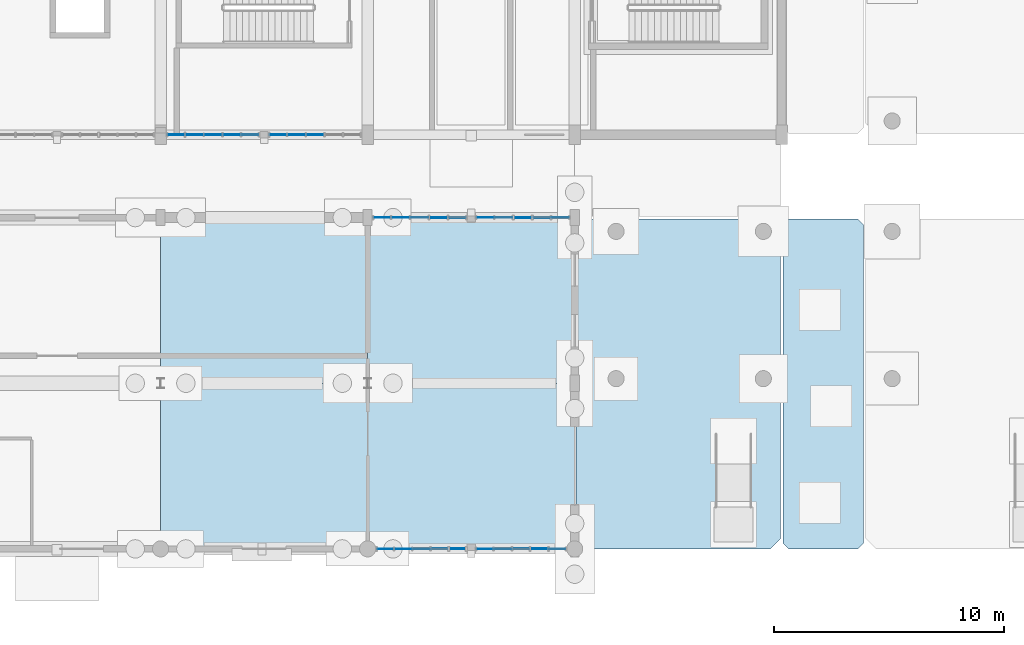
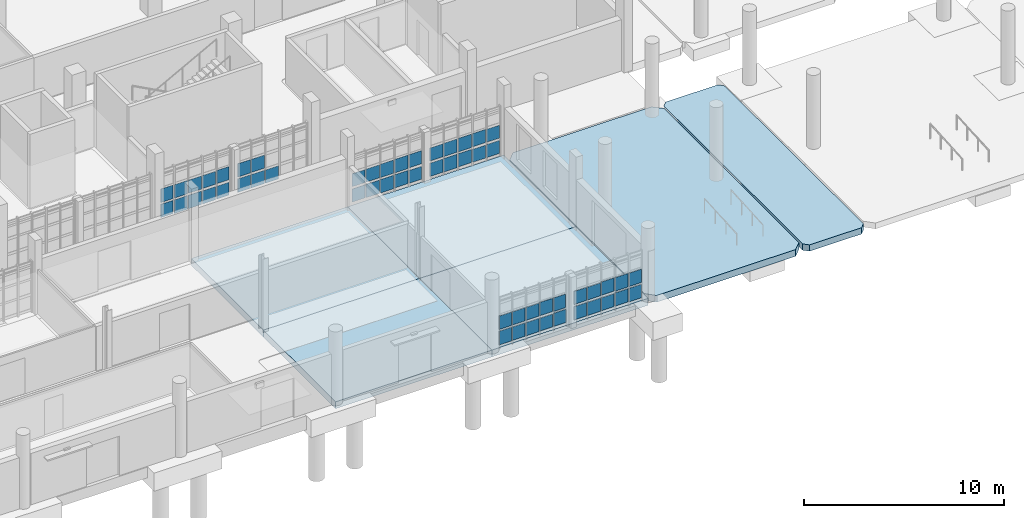
# One storey, part 34 of 63: 55 plates, 6 slabs, 6 elements without a shape of their own.
"""IFC4 building model written with IfcOpenShell, lengths in metres."""

from ifc_helpers import new_model, si_unit, direction, frame, origin, origin_2d, place, context, subcontext, project, spatial, polyline, rectangle, outline, extrude, material, layer, layer_set, type_object, element, aggregate, save


model = new_model("IFC4")

# Units and contexts
model_context = context("Model", 3, precision=1e-05, world=origin(), true_north=direction((0.0, 1.0)))
body_context = subcontext(model_context, "Body", "Model", "MODEL_VIEW")
ifc_project = project(units=[si_unit("LENGTHUNIT", "METRE"), si_unit("AREAUNIT", "SQUARE_METRE"), si_unit("VOLUMEUNIT", "CUBIC_METRE"), si_unit("PLANEANGLEUNIT", "RADIAN"), si_unit("MASSUNIT", "GRAM", prefix="KILO")], contexts=[model_context])

# Site, building, storey
site_placement = place(None, origin())
site = spatial("IfcSite", under=ifc_project, at=site_placement, CompositionType="ELEMENT")
building_placement = place(site_placement, origin())
building = spatial("IfcBuilding", under=site, at=building_placement, Name="Serraforn Aerial Cableway Station", CompositionType="ELEMENT")
storey_placement = place(building_placement, origin())
storey = spatial("IfcBuildingStorey", under=building, at=storey_placement, Name="L00", CompositionType="ELEMENT", Elevation=0.0)

# Curtain wall, plate
ifc_material_1 = material(Name="Anodised bronze unitised curtain wall")
curtain_wall_type_1 = type_object("IfcCurtainWallType", Name="CW-SYS-23", PredefinedType="USERDEFINED", material=ifc_material_1)
curtain_wall_1_placement = place(storey_placement, origin())
curtain_wall_1 = element("IfcCurtainWall", 1, at=curtain_wall_1_placement, inside=storey, type_object=curtain_wall_type_1, Name="Unitised Curtain Wall CW-CF-L00-N6A", ObjectType="UNITISED CURTAIN WALL", PredefinedType="USERDEFINED")
ifc_material_2 = material(Name="Solar-control low-E double glazing", Category="glass")
ifc_layer_1 = layer(ifc_material_2, 0.02587890625)
ifc_layer_set_1 = layer_set([ifc_layer_1], Name="Solar-control low-E double glazing")
plate_type_1 = type_object("IfcPlateType", Name="CW-GLZ-1", PredefinedType="CURTAIN_PANEL", material=ifc_layer_set_1)
plate_1_placement = place(storey_placement, frame((77.70849609375, 14.39990234375, 1.1259765625), z_axis=(0.0, 0.0, 1.0), x_axis=(1.0, 0.0, 0.0)))
plate_1 = element("IfcPlate", 2, at=plate_1_placement, type_object=plate_type_1, Name="Curtain Wall Panel CW-CF-L00-N6A-P5-2", PredefinedType="CURTAIN_PANEL", context=body_context, shape_type="SweptSolid", body=[
    extrude(rectangle(XDim=0.740966796875, YDim=0.02587890625, at=origin_2d()), origin(), (0.0, 0.0, 1.0), 0.797607421875),
])

# Curtain wall, plates
curtain_wall_type_2 = type_object("IfcCurtainWallType", Name="CW-SYS-24", PredefinedType="USERDEFINED", material=ifc_material_1)
curtain_wall_2_placement = place(storey_placement, origin())
curtain_wall_2 = element("IfcCurtainWall", 3, at=curtain_wall_2_placement, inside=storey, type_object=curtain_wall_type_2, Name="Unitised Curtain Wall CW-CF-L00-N6B", ObjectType="UNITISED CURTAIN WALL", PredefinedType="USERDEFINED")
plate_2_placement = place(storey_placement, frame((74.035888671875, 14.39990234375, 1.1259765625), z_axis=(0.0, 0.0, 1.0), x_axis=(1.0, 0.0, 0.0)))
plate_2 = element("IfcPlate", 4, at=plate_2_placement, type_object=plate_type_1, Name="Curtain Wall Panel CW-CF-L00-N6B-P4-2", PredefinedType="CURTAIN_PANEL", context=body_context, shape_type="SweptSolid", body=[
    extrude(rectangle(XDim=0.77099609375, YDim=0.02587890625, at=origin_2d()), origin(), (0.0, 0.0, 1.0), 0.797607421875),
])
plate_3_placement = place(storey_placement, frame((73.227783203125, 14.39990234375, 0.1904296875), z_axis=(0.0, 0.0, 1.0), x_axis=(1.0, 0.0, 0.0)))
plate_3 = element("IfcPlate", 5, at=plate_3_placement, type_object=plate_type_1, Name="Curtain Wall Panel CW-CF-L00-N6B-P5-1", PredefinedType="CURTAIN_PANEL", context=body_context, shape_type="SweptSolid", body=[
    extrude(rectangle(XDim=0.7333984375, YDim=0.02587890625, at=origin_2d()), origin(), (0.0, 0.0, 1.0), 0.797607421875),
])

curtain_wall_type_3 = type_object("IfcCurtainWallType", Name="CW-SYS-7", PredefinedType="USERDEFINED", material=ifc_material_1)
curtain_wall_3_placement = place(storey_placement, origin())
curtain_wall_3 = element("IfcCurtainWall", 6, at=curtain_wall_3_placement, inside=storey, type_object=curtain_wall_type_3, Name="Unitised Curtain Wall CW-CV-L00-S5A", ObjectType="UNITISED CURTAIN WALL", PredefinedType="USERDEFINED")
plate_4_placement = place(storey_placement, frame((64.271484375, 18.0, 1.11376953125), z_axis=(0.0, 0.0, 1.0), x_axis=(1.0, 0.0, 0.0)))
plate_4 = element("IfcPlate", 7, at=plate_4_placement, type_object=plate_type_1, Name="Curtain Wall Panel CW-CV-L00-S5A-P1-2", PredefinedType="CURTAIN_PANEL", context=body_context, shape_type="SweptSolid", body=[
    extrude(rectangle(XDim=0.7109375, YDim=0.02587890625, at=origin_2d()), origin(), (0.0, 0.0, 1.0), 0.824951171875),
])
plate_5_placement = place(storey_placement, frame((65.07470703125, 18.0, 0.177734375), z_axis=(0.0, 0.0, 1.0), x_axis=(1.0, 0.0, 0.0)))
plate_5 = element("IfcPlate", 8, at=plate_5_placement, type_object=plate_type_1, Name="Curtain Wall Panel CW-CV-L00-S5A-P2-1", PredefinedType="CURTAIN_PANEL", context=body_context, shape_type="SweptSolid", body=[
    extrude(rectangle(XDim=0.75341796875, YDim=0.02587890625, at=origin_2d()), origin(), (0.0, 0.0, 1.0), 0.824951171875),
])

# Curtain wall, plate
curtain_wall_type_4 = type_object("IfcCurtainWallType", Name="CW-SYS-8", PredefinedType="USERDEFINED", material=ifc_material_1)
curtain_wall_4_placement = place(storey_placement, origin())
curtain_wall_4 = element("IfcCurtainWall", 9, at=curtain_wall_4_placement, inside=storey, type_object=curtain_wall_type_4, Name="Unitised Curtain Wall CW-CV-L00-S5B", ObjectType="UNITISED CURTAIN WALL", PredefinedType="USERDEFINED")
plate_6_placement = place(storey_placement, frame((68.7109375, 18.0, 0.177734375), z_axis=(0.0, 0.0, 1.0), x_axis=(1.0, 0.0, 0.0)))
plate_6 = element("IfcPlate", 10, at=plate_6_placement, type_object=plate_type_1, Name="Curtain Wall Panel CW-CV-L00-S5B-P1-1", PredefinedType="CURTAIN_PANEL", context=body_context, shape_type="SweptSolid", body=[
    extrude(rectangle(XDim=0.7158203125, YDim=0.02587890625, at=origin_2d()), origin(), (0.0, 0.0, 1.0), 0.824951171875),
])

curtain_wall_type_5 = type_object("IfcCurtainWallType", Name="CW-SYS-21", PredefinedType="USERDEFINED", material=ifc_material_1)
curtain_wall_5_placement = place(storey_placement, origin())
curtain_wall_5 = element("IfcCurtainWall", 11, at=curtain_wall_5_placement, inside=storey, type_object=curtain_wall_type_5, Name="Unitised Curtain Wall CW-CF-L00-S6A", ObjectType="UNITISED CURTAIN WALL", PredefinedType="USERDEFINED")
ifc_layer_2 = layer(ifc_material_2, 0.028076171875)
ifc_layer_set_2 = layer_set([ifc_layer_2], Name="Solar-control low-E double glazing")
plate_type_2 = type_object("IfcPlateType", Name="CW-GLZ-2", PredefinedType="CURTAIN_PANEL", material=ifc_layer_set_2)
plate_7_placement = place(storey_placement, frame((73.368896484375, 0.0, 0.177734375), z_axis=(0.0, 0.0, 1.0), x_axis=(1.0, 0.0, 0.0)))
plate_7 = element("IfcPlate", 12, at=plate_7_placement, type_object=plate_type_2, Name="Curtain Wall Panel CW-CF-L00-S6A-P1-1", PredefinedType="CURTAIN_PANEL", context=body_context, shape_type="SweptSolid", body=[
    extrude(rectangle(XDim=0.69580078125, YDim=0.028076171875, at=origin_2d()), origin(), (0.0, 0.0, 1.0), 0.824951171875),
])

# Plate
plate_8_placement = place(storey_placement, frame((73.227783203125, 14.39990234375, 1.1337890625), z_axis=(0.0, 0.0, 1.0), x_axis=(1.0, 0.0, 0.0)))
plate_8 = element("IfcPlate", 13, at=plate_8_placement, type_object=plate_type_2, Name="Curtain Wall Panel CW-CF-L00-N6B-P5-2", PredefinedType="CURTAIN_PANEL", context=body_context, shape_type="SweptSolid", body=[
    extrude(rectangle(XDim=0.7333984375, YDim=0.028076171875, at=origin_2d()), origin(), (0.0, 0.0, 1.0), 0.782470703125),
])

plate_9_placement = place(storey_placement, frame((65.07470703125, 18.0, 1.118896484375), z_axis=(0.0, 0.0, 1.0), x_axis=(1.0, 0.0, 0.0)))
plate_9 = element("IfcPlate", 14, at=plate_9_placement, type_object=plate_type_2, Name="Curtain Wall Panel CW-CV-L00-S5A-P2-2", PredefinedType="CURTAIN_PANEL", context=body_context, shape_type="SweptSolid", body=[
    extrude(rectangle(XDim=0.75341796875, YDim=0.028076171875, at=origin_2d()), origin(), (0.0, 0.0, 1.0), 0.8125),
])

plate_10_placement = place(storey_placement, frame((65.8828125, 18.0, 0.182861328125), z_axis=(0.0, 0.0, 1.0), x_axis=(1.0, 0.0, 0.0)))
plate_10 = element("IfcPlate", 15, at=plate_10_placement, type_object=plate_type_2, Name="Curtain Wall Panel CW-CV-L00-S5A-P3-1", PredefinedType="CURTAIN_PANEL", context=body_context, shape_type="SweptSolid", body=[
    extrude(rectangle(XDim=0.760986328125, YDim=0.028076171875, at=origin_2d()), origin(), (0.0, 0.0, 1.0), 0.8125),
])

plate_11_placement = place(storey_placement, frame((68.7109375, 18.0, 1.118896484375), z_axis=(0.0, 0.0, 1.0), x_axis=(1.0, 0.0, 0.0)))
plate_11 = element("IfcPlate", 16, at=plate_11_placement, type_object=plate_type_2, Name="Curtain Wall Panel CW-CV-L00-S5B-P1-2", PredefinedType="CURTAIN_PANEL", context=body_context, shape_type="SweptSolid", body=[
    extrude(rectangle(XDim=0.7158203125, YDim=0.028076171875, at=origin_2d()), origin(), (0.0, 0.0, 1.0), 0.8125),
])

plate_12_placement = place(storey_placement, frame((69.500244140625, 18.0, 0.182861328125), z_axis=(0.0, 0.0, 1.0), x_axis=(1.0, 0.0, 0.0)))
plate_12 = element("IfcPlate", 17, at=plate_12_placement, type_object=plate_type_2, Name="Curtain Wall Panel CW-CV-L00-S5B-P2-1", PredefinedType="CURTAIN_PANEL", context=body_context, shape_type="SweptSolid", body=[
    extrude(rectangle(XDim=0.760986328125, YDim=0.028076171875, at=origin_2d()), origin(), (0.0, 0.0, 1.0), 0.8125),
])

ifc_layer_3 = layer(ifc_material_2, 0.030029296875)
ifc_layer_set_3 = layer_set([ifc_layer_3], Name="Solar-control low-E double glazing")
plate_type_3 = type_object("IfcPlateType", Name="CW-GLZ-3", PredefinedType="CURTAIN_PANEL", material=ifc_layer_set_3)
plate_13_placement = place(storey_placement, frame((73.368896484375, 0.0, 1.118896484375), z_axis=(0.0, 0.0, 1.0), x_axis=(1.0, 0.0, 0.0)))
plate_13 = element("IfcPlate", 18, at=plate_13_placement, type_object=plate_type_3, Name="Curtain Wall Panel CW-CF-L00-S6A-P1-2", PredefinedType="CURTAIN_PANEL", context=body_context, shape_type="SweptSolid", body=[
    extrude(rectangle(XDim=0.69580078125, YDim=0.030029296875, at=origin_2d()), origin(), (0.0, 0.0, 1.0), 0.8125),
])

plate_14_placement = place(storey_placement, frame((74.138427734375, 0.0, 0.182861328125), z_axis=(0.0, 0.0, 1.0), x_axis=(1.0, 0.0, 0.0)))
plate_14 = element("IfcPlate", 19, at=plate_14_placement, type_object=plate_type_3, Name="Curtain Wall Panel CW-CF-L00-S6A-P2-1", PredefinedType="CURTAIN_PANEL", context=body_context, shape_type="SweptSolid", body=[
    extrude(rectangle(XDim=0.740966796875, YDim=0.030029296875, at=origin_2d()), origin(), (0.0, 0.0, 1.0), 0.8125),
])

# Curtain wall, plate
curtain_wall_type_6 = type_object("IfcCurtainWallType", Name="CW-SYS-22", PredefinedType="USERDEFINED", material=ifc_material_1)
curtain_wall_6_placement = place(storey_placement, origin())
curtain_wall_6 = element("IfcCurtainWall", 20, at=curtain_wall_6_placement, inside=storey, type_object=curtain_wall_type_6, Name="Unitised Curtain Wall CW-CF-L00-S6B", ObjectType="UNITISED CURTAIN WALL", PredefinedType="USERDEFINED")
plate_15_placement = place(storey_placement, frame((77.689697265625, 0.0, 0.182861328125), z_axis=(0.0, 0.0, 1.0), x_axis=(1.0, 0.0, 0.0)))
plate_15 = element("IfcPlate", 21, at=plate_15_placement, type_object=plate_type_3, Name="Curtain Wall Panel CW-CF-L00-S6B-P1-1", PredefinedType="CURTAIN_PANEL", context=body_context, shape_type="SweptSolid", body=[
    extrude(rectangle(XDim=0.71337890625, YDim=0.030029296875, at=origin_2d()), origin(), (0.0, 0.0, 1.0), 0.8125),
])

# Plate
plate_16_placement = place(storey_placement, frame((65.8828125, 18.0, 1.1259765625), z_axis=(0.0, 0.0, 1.0), x_axis=(1.0, 0.0, 0.0)))
plate_16 = element("IfcPlate", 22, at=plate_16_placement, type_object=plate_type_3, Name="Curtain Wall Panel CW-CV-L00-S5A-P3-2", PredefinedType="CURTAIN_PANEL", context=body_context, shape_type="SweptSolid", body=[
    extrude(rectangle(XDim=0.760986328125, YDim=0.030029296875, at=origin_2d()), origin(), (0.0, 0.0, 1.0), 0.797607421875),
])

plate_17_placement = place(storey_placement, frame((66.697021484375, 18.0, 0.1904296875), z_axis=(0.0, 0.0, 1.0), x_axis=(1.0, 0.0, 0.0)))
plate_17 = element("IfcPlate", 23, at=plate_17_placement, type_object=plate_type_3, Name="Curtain Wall Panel CW-CV-L00-S5A-P4-1", PredefinedType="CURTAIN_PANEL", context=body_context, shape_type="SweptSolid", body=[
    extrude(rectangle(XDim=0.755859375, YDim=0.030029296875, at=origin_2d()), origin(), (0.0, 0.0, 1.0), 0.797607421875),
])

plate_18_placement = place(storey_placement, frame((69.500244140625, 18.0, 1.1259765625), z_axis=(0.0, 0.0, 1.0), x_axis=(1.0, 0.0, 0.0)))
plate_18 = element("IfcPlate", 24, at=plate_18_placement, type_object=plate_type_3, Name="Curtain Wall Panel CW-CV-L00-S5B-P2-2", PredefinedType="CURTAIN_PANEL", context=body_context, shape_type="SweptSolid", body=[
    extrude(rectangle(XDim=0.760986328125, YDim=0.030029296875, at=origin_2d()), origin(), (0.0, 0.0, 1.0), 0.797607421875),
])

plate_19_placement = place(storey_placement, frame((70.314697265625, 18.0, 0.1904296875), z_axis=(0.0, 0.0, 1.0), x_axis=(1.0, 0.0, 0.0)))
plate_19 = element("IfcPlate", 25, at=plate_19_placement, type_object=plate_type_3, Name="Curtain Wall Panel CW-CV-L00-S5B-P3-1", PredefinedType="CURTAIN_PANEL", context=body_context, shape_type="SweptSolid", body=[
    extrude(rectangle(XDim=0.755859375, YDim=0.030029296875, at=origin_2d()), origin(), (0.0, 0.0, 1.0), 0.797607421875),
])

aggregate(curtain_wall_4, [plate_6, plate_11, plate_12, plate_18, plate_19])

ifc_layer_4 = layer(ifc_material_2, 0.031982421875)
ifc_layer_set_4 = layer_set([ifc_layer_4], Name="Solar-control low-E double glazing")
plate_type_4 = type_object("IfcPlateType", Name="CW-GLZ-4", PredefinedType="CURTAIN_PANEL", material=ifc_layer_set_4)
plate_20_placement = place(storey_placement, frame((74.138427734375, 0.0, 1.1259765625), z_axis=(0.0, 0.0, 1.0), x_axis=(1.0, 0.0, 0.0)))
plate_20 = element("IfcPlate", 26, at=plate_20_placement, type_object=plate_type_4, Name="Curtain Wall Panel CW-CF-L00-S6A-P2-2", PredefinedType="CURTAIN_PANEL", context=body_context, shape_type="SweptSolid", body=[
    extrude(rectangle(XDim=0.740966796875, YDim=0.031982421875, at=origin_2d()), origin(), (0.0, 0.0, 1.0), 0.797607421875),
])

plate_21_placement = place(storey_placement, frame((74.9326171875, 0.0, 0.1904296875), z_axis=(0.0, 0.0, 1.0), x_axis=(1.0, 0.0, 0.0)))
plate_21 = element("IfcPlate", 27, at=plate_21_placement, type_object=plate_type_4, Name="Curtain Wall Panel CW-CF-L00-S6A-P3-1", PredefinedType="CURTAIN_PANEL", context=body_context, shape_type="SweptSolid", body=[
    extrude(rectangle(XDim=0.73583984375, YDim=0.031982421875, at=origin_2d()), origin(), (0.0, 0.0, 1.0), 0.797607421875),
])

plate_22_placement = place(storey_placement, frame((77.689697265625, 0.0, 1.1259765625), z_axis=(0.0, 0.0, 1.0), x_axis=(1.0, 0.0, 0.0)))
plate_22 = element("IfcPlate", 28, at=plate_22_placement, type_object=plate_type_4, Name="Curtain Wall Panel CW-CF-L00-S6B-P1-2", PredefinedType="CURTAIN_PANEL", context=body_context, shape_type="SweptSolid", body=[
    extrude(rectangle(XDim=0.71337890625, YDim=0.031982421875, at=origin_2d()), origin(), (0.0, 0.0, 1.0), 0.797607421875),
])

plate_23_placement = place(storey_placement, frame((78.47021484375, 0.0, 0.1904296875), z_axis=(0.0, 0.0, 1.0), x_axis=(1.0, 0.0, 0.0)))
plate_23 = element("IfcPlate", 29, at=plate_23_placement, type_object=plate_type_4, Name="Curtain Wall Panel CW-CF-L00-S6B-P2-1", PredefinedType="CURTAIN_PANEL", context=body_context, shape_type="SweptSolid", body=[
    extrude(rectangle(XDim=0.73583984375, YDim=0.031982421875, at=origin_2d()), origin(), (0.0, 0.0, 1.0), 0.797607421875),
])

plate_24_placement = place(storey_placement, frame((80.97607421875, 14.39990234375, 0.1904296875), z_axis=(0.0, 0.0, 1.0), x_axis=(1.0, 0.0, 0.0)))
plate_24 = element("IfcPlate", 30, at=plate_24_placement, type_object=plate_type_4, Name="Curtain Wall Panel CW-CF-L00-N6A-P1-1", PredefinedType="CURTAIN_PANEL", context=body_context, shape_type="SweptSolid", body=[
    extrude(rectangle(XDim=0.73583984375, YDim=0.031982421875, at=origin_2d()), origin(), (0.0, 0.0, 1.0), 0.797607421875),
])

plate_25_placement = place(storey_placement, frame((66.697021484375, 18.0, 1.1337890625), z_axis=(0.0, 0.0, 1.0), x_axis=(1.0, 0.0, 0.0)))
plate_25 = element("IfcPlate", 31, at=plate_25_placement, type_object=plate_type_4, Name="Curtain Wall Panel CW-CV-L00-S5A-P4-2", PredefinedType="CURTAIN_PANEL", context=body_context, shape_type="SweptSolid", body=[
    extrude(rectangle(XDim=0.755859375, YDim=0.031982421875, at=origin_2d()), origin(), (0.0, 0.0, 1.0), 0.782470703125),
])

plate_26_placement = place(storey_placement, frame((67.494140625, 18.0, 0.19775390625), z_axis=(0.0, 0.0, 1.0), x_axis=(1.0, 0.0, 0.0)))
plate_26 = element("IfcPlate", 32, at=plate_26_placement, type_object=plate_type_4, Name="Curtain Wall Panel CW-CV-L00-S5A-P5-1", PredefinedType="CURTAIN_PANEL", context=body_context, shape_type="SweptSolid", body=[
    extrude(rectangle(XDim=0.7158203125, YDim=0.031982421875, at=origin_2d()), origin(), (0.0, 0.0, 1.0), 0.782470703125),
])

ifc_layer_5 = layer(ifc_material_2, 0.033935546875)
ifc_layer_set_5 = layer_set([ifc_layer_5], Name="Solar-control low-E double glazing")
plate_type_5 = type_object("IfcPlateType", Name="CW-GLZ-5", PredefinedType="CURTAIN_PANEL", material=ifc_layer_set_5)
plate_27_placement = place(storey_placement, frame((74.9326171875, 0.0, 1.1337890625), z_axis=(0.0, 0.0, 1.0), x_axis=(1.0, 0.0, 0.0)))
plate_27 = element("IfcPlate", 33, at=plate_27_placement, type_object=plate_type_5, Name="Curtain Wall Panel CW-CF-L00-S6A-P3-2", PredefinedType="CURTAIN_PANEL", context=body_context, shape_type="SweptSolid", body=[
    extrude(rectangle(XDim=0.73583984375, YDim=0.033935546875, at=origin_2d()), origin(), (0.0, 0.0, 1.0), 0.782470703125),
])

plate_28_placement = place(storey_placement, frame((75.72705078125, 0.0, 0.19775390625), z_axis=(0.0, 0.0, 1.0), x_axis=(1.0, 0.0, 0.0)))
plate_28 = element("IfcPlate", 34, at=plate_28_placement, type_object=plate_type_5, Name="Curtain Wall Panel CW-CF-L00-S6A-P4-1", PredefinedType="CURTAIN_PANEL", context=body_context, shape_type="SweptSolid", body=[
    extrude(rectangle(XDim=0.73095703125, YDim=0.033935546875, at=origin_2d()), origin(), (0.0, 0.0, 1.0), 0.782470703125),
])

plate_29_placement = place(storey_placement, frame((78.47021484375, 0.0, 1.1337890625), z_axis=(0.0, 0.0, 1.0), x_axis=(1.0, 0.0, 0.0)))
plate_29 = element("IfcPlate", 35, at=plate_29_placement, type_object=plate_type_5, Name="Curtain Wall Panel CW-CF-L00-S6B-P2-2", PredefinedType="CURTAIN_PANEL", context=body_context, shape_type="SweptSolid", body=[
    extrude(rectangle(XDim=0.73583984375, YDim=0.033935546875, at=origin_2d()), origin(), (0.0, 0.0, 1.0), 0.782470703125),
])

plate_30_placement = place(storey_placement, frame((79.2646484375, 0.0, 0.19775390625), z_axis=(0.0, 0.0, 1.0), x_axis=(1.0, 0.0, 0.0)))
plate_30 = element("IfcPlate", 36, at=plate_30_placement, type_object=plate_type_5, Name="Curtain Wall Panel CW-CF-L00-S6B-P3-1", PredefinedType="CURTAIN_PANEL", context=body_context, shape_type="SweptSolid", body=[
    extrude(rectangle(XDim=0.73095703125, YDim=0.033935546875, at=origin_2d()), origin(), (0.0, 0.0, 1.0), 0.782470703125),
])

plate_31_placement = place(storey_placement, frame((80.97607421875, 14.39990234375, 1.1337890625), z_axis=(0.0, 0.0, 1.0), x_axis=(1.0, 0.0, 0.0)))
plate_31 = element("IfcPlate", 37, at=plate_31_placement, type_object=plate_type_5, Name="Curtain Wall Panel CW-CF-L00-N6A-P1-2", PredefinedType="CURTAIN_PANEL", context=body_context, shape_type="SweptSolid", body=[
    extrude(rectangle(XDim=0.73583984375, YDim=0.033935546875, at=origin_2d()), origin(), (0.0, 0.0, 1.0), 0.782470703125),
])

plate_32_placement = place(storey_placement, frame((80.166748046875, 14.39990234375, 0.19775390625), z_axis=(0.0, 0.0, 1.0), x_axis=(1.0, 0.0, 0.0)))
plate_32 = element("IfcPlate", 38, at=plate_32_placement, type_object=plate_type_5, Name="Curtain Wall Panel CW-CF-L00-N6A-P2-1", PredefinedType="CURTAIN_PANEL", context=body_context, shape_type="SweptSolid", body=[
    extrude(rectangle(XDim=0.760986328125, YDim=0.033935546875, at=origin_2d()), origin(), (0.0, 0.0, 1.0), 0.782470703125),
])

plate_33_placement = place(storey_placement, frame((76.492919921875, 14.39990234375, 0.19775390625), z_axis=(0.0, 0.0, 1.0), x_axis=(1.0, 0.0, 0.0)))
plate_33 = element("IfcPlate", 39, at=plate_33_placement, type_object=plate_type_5, Name="Curtain Wall Panel CW-CF-L00-N6B-P1-1", PredefinedType="CURTAIN_PANEL", context=body_context, shape_type="SweptSolid", body=[
    extrude(rectangle(XDim=0.728515625, YDim=0.033935546875, at=origin_2d()), origin(), (0.0, 0.0, 1.0), 0.782470703125),
])

plate_34_placement = place(storey_placement, frame((67.494140625, 18.0, 1.14111328125), z_axis=(0.0, 0.0, 1.0), x_axis=(1.0, 0.0, 0.0)))
plate_34 = element("IfcPlate", 40, at=plate_34_placement, type_object=plate_type_5, Name="Curtain Wall Panel CW-CV-L00-S5A-P5-2", PredefinedType="CURTAIN_PANEL", context=body_context, shape_type="SweptSolid", body=[
    extrude(rectangle(XDim=0.7158203125, YDim=0.033935546875, at=origin_2d()), origin(), (0.0, 0.0, 1.0), 0.802490234375),
])

ifc_layer_6 = layer(ifc_material_2, 0.035888671875)
ifc_layer_set_6 = layer_set([ifc_layer_6], Name="Solar-control low-E double glazing")
plate_type_6 = type_object("IfcPlateType", Name="CW-GLZ-6", PredefinedType="CURTAIN_PANEL", material=ifc_layer_set_6)
plate_35_placement = place(storey_placement, frame((75.72705078125, 0.0, 1.14111328125), z_axis=(0.0, 0.0, 1.0), x_axis=(1.0, 0.0, 0.0)))
plate_35 = element("IfcPlate", 41, at=plate_35_placement, type_object=plate_type_6, Name="Curtain Wall Panel CW-CF-L00-S6A-P4-2", PredefinedType="CURTAIN_PANEL", context=body_context, shape_type="SweptSolid", body=[
    extrude(rectangle(XDim=0.73095703125, YDim=0.035888671875, at=origin_2d()), origin(), (0.0, 0.0, 1.0), 0.802490234375),
])

plate_36_placement = place(storey_placement, frame((76.502685546875, 0.0, 0.20556640625), z_axis=(0.0, 0.0, 1.0), x_axis=(1.0, 0.0, 0.0)))
plate_36 = element("IfcPlate", 42, at=plate_36_placement, type_object=plate_type_6, Name="Curtain Wall Panel CW-CF-L00-S6A-P5-1", PredefinedType="CURTAIN_PANEL", context=body_context, shape_type="SweptSolid", body=[
    extrude(rectangle(XDim=0.6884765625, YDim=0.035888671875, at=origin_2d()), origin(), (0.0, 0.0, 1.0), 0.802490234375),
])

plate_37_placement = place(storey_placement, frame((79.2646484375, 0.0, 1.14111328125), z_axis=(0.0, 0.0, 1.0), x_axis=(1.0, 0.0, 0.0)))
plate_37 = element("IfcPlate", 43, at=plate_37_placement, type_object=plate_type_6, Name="Curtain Wall Panel CW-CF-L00-S6B-P3-2", PredefinedType="CURTAIN_PANEL", context=body_context, shape_type="SweptSolid", body=[
    extrude(rectangle(XDim=0.73095703125, YDim=0.035888671875, at=origin_2d()), origin(), (0.0, 0.0, 1.0), 0.802490234375),
])

plate_38_placement = place(storey_placement, frame((80.05908203125, 0.0, 0.20556640625), z_axis=(0.0, 0.0, 1.0), x_axis=(1.0, 0.0, 0.0)))
plate_38 = element("IfcPlate", 44, at=plate_38_placement, type_object=plate_type_6, Name="Curtain Wall Panel CW-CF-L00-S6B-P4-1", PredefinedType="CURTAIN_PANEL", context=body_context, shape_type="SweptSolid", body=[
    extrude(rectangle(XDim=0.725830078125, YDim=0.035888671875, at=origin_2d()), origin(), (0.0, 0.0, 1.0), 0.802490234375),
])

plate_39_placement = place(storey_placement, frame((80.166748046875, 14.39990234375, 1.14111328125), z_axis=(0.0, 0.0, 1.0), x_axis=(1.0, 0.0, 0.0)))
plate_39 = element("IfcPlate", 45, at=plate_39_placement, type_object=plate_type_6, Name="Curtain Wall Panel CW-CF-L00-N6A-P2-2", PredefinedType="CURTAIN_PANEL", context=body_context, shape_type="SweptSolid", body=[
    extrude(rectangle(XDim=0.760986328125, YDim=0.035888671875, at=origin_2d()), origin(), (0.0, 0.0, 1.0), 0.802490234375),
])

plate_40_placement = place(storey_placement, frame((79.34228515625, 14.39990234375, 0.20556640625), z_axis=(0.0, 0.0, 1.0), x_axis=(1.0, 0.0, 0.0)))
plate_40 = element("IfcPlate", 46, at=plate_40_placement, type_object=plate_type_6, Name="Curtain Wall Panel CW-CF-L00-N6A-P3-1", PredefinedType="CURTAIN_PANEL", context=body_context, shape_type="SweptSolid", body=[
    extrude(rectangle(XDim=0.755859375, YDim=0.035888671875, at=origin_2d()), origin(), (0.0, 0.0, 1.0), 0.802490234375),
])

plate_41_placement = place(storey_placement, frame((76.492919921875, 14.39990234375, 1.14111328125), z_axis=(0.0, 0.0, 1.0), x_axis=(1.0, 0.0, 0.0)))
plate_41 = element("IfcPlate", 47, at=plate_41_placement, type_object=plate_type_6, Name="Curtain Wall Panel CW-CF-L00-N6B-P1-2", PredefinedType="CURTAIN_PANEL", context=body_context, shape_type="SweptSolid", body=[
    extrude(rectangle(XDim=0.728515625, YDim=0.035888671875, at=origin_2d()), origin(), (0.0, 0.0, 1.0), 0.802490234375),
])

plate_42_placement = place(storey_placement, frame((75.684814453125, 14.39990234375, 0.20556640625), z_axis=(0.0, 0.0, 1.0), x_axis=(1.0, 0.0, 0.0)))
plate_42 = element("IfcPlate", 48, at=plate_42_placement, type_object=plate_type_6, Name="Curtain Wall Panel CW-CF-L00-N6B-P2-1", PredefinedType="CURTAIN_PANEL", context=body_context, shape_type="SweptSolid", body=[
    extrude(rectangle(XDim=0.755859375, YDim=0.035888671875, at=origin_2d()), origin(), (0.0, 0.0, 1.0), 0.802490234375),
])

ifc_layer_7 = layer(ifc_material_2, 0.029052734375)
ifc_layer_set_7 = layer_set([ifc_layer_7], Name="Solar-control low-E double glazing")
plate_type_7 = type_object("IfcPlateType", Name="CW-GLZ-7", PredefinedType="CURTAIN_PANEL", material=ifc_layer_set_7)
plate_43_placement = place(storey_placement, frame((76.502685546875, 0.0, 1.11376953125), z_axis=(0.0, 0.0, 1.0), x_axis=(1.0, 0.0, 0.0)))
plate_43 = element("IfcPlate", 49, at=plate_43_placement, type_object=plate_type_7, Name="Curtain Wall Panel CW-CF-L00-S6A-P5-2", PredefinedType="CURTAIN_PANEL", context=body_context, shape_type="SweptSolid", body=[
    extrude(rectangle(XDim=0.6884765625, YDim=0.029052734375, at=origin_2d()), origin(), (0.0, 0.0, 1.0), 0.824951171875),
])

aggregate(curtain_wall_5, [plate_7, plate_13, plate_14, plate_20, plate_21, plate_27, plate_28, plate_35, plate_36, plate_43])

plate_44_placement = place(storey_placement, frame((80.05908203125, 0.0, 1.11376953125), z_axis=(0.0, 0.0, 1.0), x_axis=(1.0, 0.0, 0.0)))
plate_44 = element("IfcPlate", 50, at=plate_44_placement, type_object=plate_type_7, Name="Curtain Wall Panel CW-CF-L00-S6B-P4-2", PredefinedType="CURTAIN_PANEL", context=body_context, shape_type="SweptSolid", body=[
    extrude(rectangle(XDim=0.725830078125, YDim=0.029052734375, at=origin_2d()), origin(), (0.0, 0.0, 1.0), 0.824951171875),
])

plate_45_placement = place(storey_placement, frame((80.845947265625, 0.0, 0.177734375), z_axis=(0.0, 0.0, 1.0), x_axis=(1.0, 0.0, 0.0)))
plate_45 = element("IfcPlate", 51, at=plate_45_placement, type_object=plate_type_7, Name="Curtain Wall Panel CW-CF-L00-S6B-P5-1", PredefinedType="CURTAIN_PANEL", context=body_context, shape_type="SweptSolid", body=[
    extrude(rectangle(XDim=0.705810546875, YDim=0.029052734375, at=origin_2d()), origin(), (0.0, 0.0, 1.0), 0.824951171875),
])

plate_46_placement = place(storey_placement, frame((79.34228515625, 14.39990234375, 1.11376953125), z_axis=(0.0, 0.0, 1.0), x_axis=(1.0, 0.0, 0.0)))
plate_46 = element("IfcPlate", 52, at=plate_46_placement, type_object=plate_type_7, Name="Curtain Wall Panel CW-CF-L00-N6A-P3-2", PredefinedType="CURTAIN_PANEL", context=body_context, shape_type="SweptSolid", body=[
    extrude(rectangle(XDim=0.755859375, YDim=0.029052734375, at=origin_2d()), origin(), (0.0, 0.0, 1.0), 0.824951171875),
])

plate_47_placement = place(storey_placement, frame((78.51171875, 14.39990234375, 0.177734375), z_axis=(0.0, 0.0, 1.0), x_axis=(1.0, 0.0, 0.0)))
plate_47 = element("IfcPlate", 53, at=plate_47_placement, type_object=plate_type_7, Name="Curtain Wall Panel CW-CF-L00-N6A-P4-1", PredefinedType="CURTAIN_PANEL", context=body_context, shape_type="SweptSolid", body=[
    extrude(rectangle(XDim=0.763427734375, YDim=0.029052734375, at=origin_2d()), origin(), (0.0, 0.0, 1.0), 0.824951171875),
])

plate_48_placement = place(storey_placement, frame((75.684814453125, 14.39990234375, 1.11376953125), z_axis=(0.0, 0.0, 1.0), x_axis=(1.0, 0.0, 0.0)))
plate_48 = element("IfcPlate", 54, at=plate_48_placement, type_object=plate_type_7, Name="Curtain Wall Panel CW-CF-L00-N6B-P2-2", PredefinedType="CURTAIN_PANEL", context=body_context, shape_type="SweptSolid", body=[
    extrude(rectangle(XDim=0.755859375, YDim=0.029052734375, at=origin_2d()), origin(), (0.0, 0.0, 1.0), 0.824951171875),
])

plate_49_placement = place(storey_placement, frame((74.85400390625, 14.39990234375, 0.177734375), z_axis=(0.0, 0.0, 1.0), x_axis=(1.0, 0.0, 0.0)))
plate_49 = element("IfcPlate", 55, at=plate_49_placement, type_object=plate_type_7, Name="Curtain Wall Panel CW-CF-L00-N6B-P3-1", PredefinedType="CURTAIN_PANEL", context=body_context, shape_type="SweptSolid", body=[
    extrude(rectangle(XDim=0.763427734375, YDim=0.029052734375, at=origin_2d()), origin(), (0.0, 0.0, 1.0), 0.824951171875),
])

ifc_layer_8 = layer(ifc_material_2, 0.031005859375)
ifc_layer_set_8 = layer_set([ifc_layer_8], Name="Solar-control low-E double glazing")
plate_type_8 = type_object("IfcPlateType", Name="CW-GLZ-8", PredefinedType="CURTAIN_PANEL", material=ifc_layer_set_8)
plate_50_placement = place(storey_placement, frame((80.845947265625, 0.0, 1.118896484375), z_axis=(0.0, 0.0, 1.0), x_axis=(1.0, 0.0, 0.0)))
plate_50 = element("IfcPlate", 56, at=plate_50_placement, type_object=plate_type_8, Name="Curtain Wall Panel CW-CF-L00-S6B-P5-2", PredefinedType="CURTAIN_PANEL", context=body_context, shape_type="SweptSolid", body=[
    extrude(rectangle(XDim=0.705810546875, YDim=0.031005859375, at=origin_2d()), origin(), (0.0, 0.0, 1.0), 0.8125),
])

aggregate(curtain_wall_6, [plate_15, plate_22, plate_23, plate_29, plate_30, plate_37, plate_38, plate_44, plate_45, plate_50])

plate_51_placement = place(storey_placement, frame((78.51171875, 14.39990234375, 1.118896484375), z_axis=(0.0, 0.0, 1.0), x_axis=(1.0, 0.0, 0.0)))
plate_51 = element("IfcPlate", 57, at=plate_51_placement, type_object=plate_type_8, Name="Curtain Wall Panel CW-CF-L00-N6A-P4-2", PredefinedType="CURTAIN_PANEL", context=body_context, shape_type="SweptSolid", body=[
    extrude(rectangle(XDim=0.763427734375, YDim=0.031005859375, at=origin_2d()), origin(), (0.0, 0.0, 1.0), 0.8125),
])

plate_52_placement = place(storey_placement, frame((77.70849609375, 14.39990234375, 0.182861328125), z_axis=(0.0, 0.0, 1.0), x_axis=(1.0, 0.0, 0.0)))
plate_52 = element("IfcPlate", 58, at=plate_52_placement, type_object=plate_type_8, Name="Curtain Wall Panel CW-CF-L00-N6A-P5-1", PredefinedType="CURTAIN_PANEL", context=body_context, shape_type="SweptSolid", body=[
    extrude(rectangle(XDim=0.740966796875, YDim=0.031005859375, at=origin_2d()), origin(), (0.0, 0.0, 1.0), 0.8125),
])

aggregate(curtain_wall_1, [plate_24, plate_31, plate_32, plate_39, plate_40, plate_46, plate_47, plate_51, plate_52, plate_1])

plate_53_placement = place(storey_placement, frame((74.85400390625, 14.39990234375, 1.118896484375), z_axis=(0.0, 0.0, 1.0), x_axis=(1.0, 0.0, 0.0)))
plate_53 = element("IfcPlate", 59, at=plate_53_placement, type_object=plate_type_8, Name="Curtain Wall Panel CW-CF-L00-N6B-P3-2", PredefinedType="CURTAIN_PANEL", context=body_context, shape_type="SweptSolid", body=[
    extrude(rectangle(XDim=0.763427734375, YDim=0.031005859375, at=origin_2d()), origin(), (0.0, 0.0, 1.0), 0.8125),
])

plate_54_placement = place(storey_placement, frame((74.035888671875, 14.39990234375, 0.182861328125), z_axis=(0.0, 0.0, 1.0), x_axis=(1.0, 0.0, 0.0)))
plate_54 = element("IfcPlate", 60, at=plate_54_placement, type_object=plate_type_8, Name="Curtain Wall Panel CW-CF-L00-N6B-P4-1", PredefinedType="CURTAIN_PANEL", context=body_context, shape_type="SweptSolid", body=[
    extrude(rectangle(XDim=0.77099609375, YDim=0.031005859375, at=origin_2d()), origin(), (0.0, 0.0, 1.0), 0.8125),
])

aggregate(curtain_wall_2, [plate_33, plate_41, plate_42, plate_48, plate_49, plate_53, plate_54, plate_2, plate_3, plate_8])

plate_55_placement = place(storey_placement, frame((64.271484375, 18.0, 0.20556640625), z_axis=(0.0, 0.0, 1.0), x_axis=(1.0, 0.0, 0.0)))
plate_55 = element("IfcPlate", 61, at=plate_55_placement, type_object=plate_type_8, Name="Curtain Wall Panel CW-CV-L00-S5A-P1-1", PredefinedType="CURTAIN_PANEL", context=body_context, shape_type="SweptSolid", body=[
    extrude(rectangle(XDim=0.7109375, YDim=0.031005859375, at=origin_2d()), origin(), (0.0, 0.0, 1.0), 0.802490234375),
])

aggregate(curtain_wall_3, [plate_55, plate_4, plate_5, plate_9, plate_10, plate_16, plate_17, plate_25, plate_26, plate_34])

# Slabs
ifc_material_3 = material(Name="Concrete C35/45", Category="concrete")
ifc_layer_9 = layer(ifc_material_3, 0.419921875)
ifc_layer_set_9 = layer_set([ifc_layer_9], Name="Concrete C35/45")
slab_type_1 = type_object("IfcSlabType", Name="SLB-BASE-420", PredefinedType="BASESLAB", material=ifc_layer_set_9)
slab_1_placement = place(storey_placement, frame((0.0, 0.0, -0.419921875)))
element("IfcSlab", 62, at=slab_1_placement, inside=storey, type_object=slab_type_1, Name="Floor Slab CF-L00-5-1", PredefinedType="BASESLAB", context=body_context, shape_type="SweptSolid", body=[
    extrude(outline(polyline([(63.60009765625, 0.0), (72.60009765625, 0.0), (72.60009765625, 7.199951171875), (63.60009765625, 7.199951171875), (63.60009765625, 0.0)])), origin(), (0.0, 0.0, 1.0), 0.419921875),
])
slab_2_placement = place(storey_placement, frame((0.0, 0.0, -0.419921875)))
element("IfcSlab", 63, at=slab_2_placement, inside=storey, type_object=slab_type_1, Name="Floor Slab CF-L00-5-2", PredefinedType="BASESLAB", context=body_context, shape_type="SweptSolid", body=[
    extrude(outline(polyline([(63.60009765625, 7.199951171875), (72.60009765625, 7.199951171875), (72.60009765625, 14.39990234375), (63.60009765625, 14.39990234375), (63.60009765625, 7.199951171875)])), origin(), (0.0, 0.0, 1.0), 0.419921875),
])
slab_3_placement = place(storey_placement, frame((0.0, 0.0, -0.419921875)))
element("IfcSlab", 64, at=slab_3_placement, inside=storey, type_object=slab_type_1, Name="Floor Slab CF-L00-6-1", PredefinedType="BASESLAB", context=body_context, shape_type="SweptSolid", body=[
    extrude(outline(polyline([(72.60009765625, 0.0), (81.60009765625, 0.0), (81.60009765625, 7.199951171875), (72.60009765625, 7.199951171875), (72.60009765625, 0.0)])), origin(), (0.0, 0.0, 1.0), 0.419921875),
])
slab_4_placement = place(storey_placement, frame((0.0, 0.0, -0.419921875)))
element("IfcSlab", 65, at=slab_4_placement, inside=storey, type_object=slab_type_1, Name="Floor Slab CF-L00-6-2", PredefinedType="BASESLAB", context=body_context, shape_type="SweptSolid", body=[
    extrude(outline(polyline([(72.60009765625, 7.199951171875), (81.60009765625, 7.199951171875), (81.60009765625, 14.39990234375), (72.60009765625, 14.39990234375), (72.60009765625, 7.199951171875)])), origin(), (0.0, 0.0, 1.0), 0.419921875),
])
ifc_layer_10 = layer(ifc_material_3, 0.409912109375)
ifc_layer_set_10 = layer_set([ifc_layer_10], Name="Concrete C35/45")
slab_type_2 = type_object("IfcSlabType", Name="SLB-COL-410", PredefinedType="FLOOR", material=ifc_layer_set_10)
slab_5_placement = place(storey_placement, frame((0.0, 0.0, -0.409912109375)))
element("IfcSlab", 66, at=slab_5_placement, inside=storey, type_object=slab_type_2, Name="Forecourt and Cloister Colonnade Terrace PLZ-S-01A", PredefinedType="FLOOR", context=body_context, shape_type="SweptSolid", body=[
    extrude(outline(polyline([(82.10009765625, 0.0), (90.10009765625, 0.0), (90.550048828125, 0.449951171875), (90.550048828125, 13.89990234375), (90.10009765625, 14.35009765625), (82.10009765625, 14.35009765625), (81.64990234375, 13.89990234375), (81.64990234375, 0.449951171875), (82.10009765625, 0.0)])), origin(), (0.0, 0.0, 1.0), 0.409912109375),
])
ifc_layer_11 = layer(ifc_material_3, 0.385009765625)
ifc_layer_set_11 = layer_set([ifc_layer_11], Name="Concrete C35/45")
slab_type_3 = type_object("IfcSlabType", Name="SLB-PLZ-385", PredefinedType="FLOOR", material=ifc_layer_set_11)
slab_6_placement = place(storey_placement, frame((0.0, 0.0, -0.385009765625)))
element("IfcSlab", 67, at=slab_6_placement, inside=storey, type_object=slab_type_3, Name="Forecourt and Cloister Colonnade Terrace PLZ-S-01B", PredefinedType="FLOOR", context=body_context, shape_type="SweptSolid", body=[
    extrude(outline(polyline([(90.89990234375, 0.0), (93.89990234375, 0.0), (94.14990234375, 0.25), (94.14990234375, 14.10009765625), (93.89990234375, 14.35009765625), (90.89990234375, 14.35009765625), (90.64990234375, 14.10009765625), (90.64990234375, 0.25), (90.89990234375, 0.0)])), origin(), (0.0, 0.0, 1.0), 0.385009765625),
])

save(model, "model.ifc")
